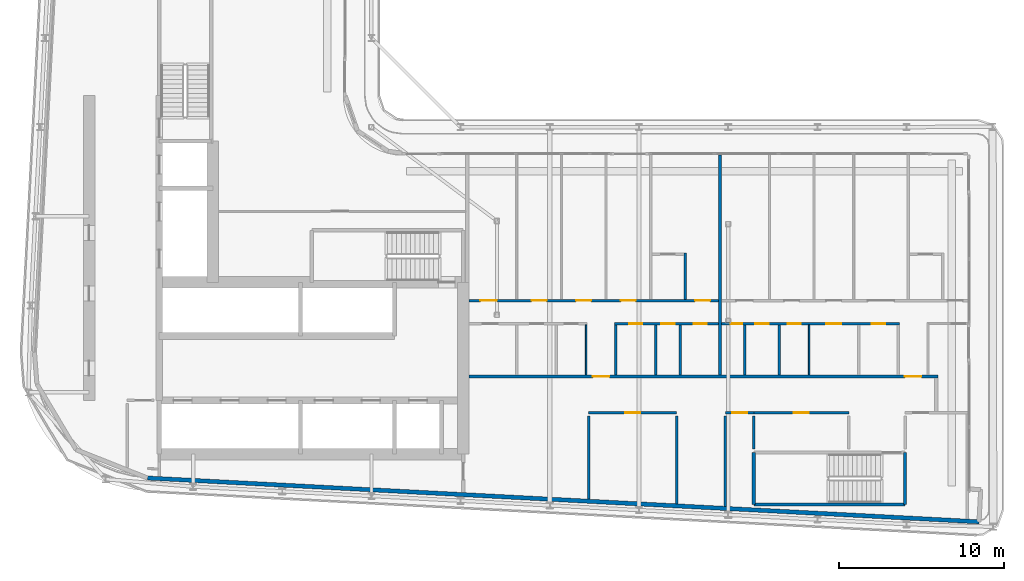
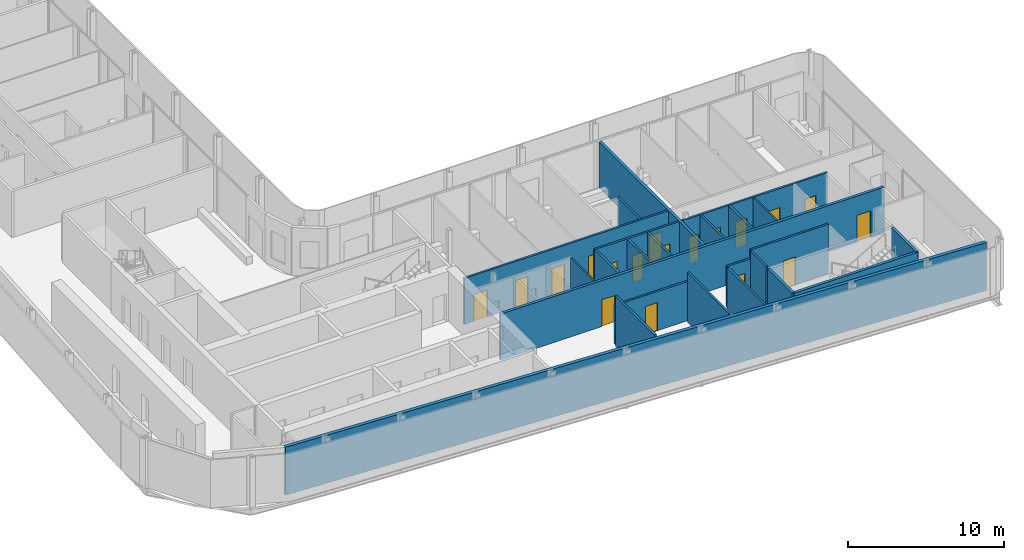
# One storey, part 12 of 23: 24 walls, 18 doors, 18 openings.
"""IFC4 building model written with IfcOpenShell, lengths in metres."""

from ifc_helpers import new_model, si_unit, direction, frame, frame_2d, origin, place, context, subcontext, project, spatial, rectangle, extrude, source, transform, mapped, material, layer, layer_set, type_object, element, fill, save


model = new_model("IFC4")

# Units and contexts
model_context = context("Model", 3, precision=1e-05, world=origin(), true_north=direction((0.0, 1.0)))
body_context = subcontext(model_context, "Body", "Model", "MODEL_VIEW")
ifc_project = project(units=[si_unit("LENGTHUNIT", "METRE"), si_unit("AREAUNIT", "SQUARE_METRE"), si_unit("VOLUMEUNIT", "CUBIC_METRE"), si_unit("PLANEANGLEUNIT", "RADIAN"), si_unit("MASSUNIT", "GRAM", prefix="KILO")], contexts=[model_context])

# Site, building, storey
site_placement = place(None, origin())
site = spatial("IfcSite", under=ifc_project, at=site_placement, CompositionType="ELEMENT")
building_placement = place(site_placement, origin())
building = spatial("IfcBuilding", under=site, at=building_placement, Name="Kheshtan School and Residences Tower", CompositionType="ELEMENT")
storey_placement = place(building_placement, frame((0.0, 0.0, 239.60009765625)))
storey = spatial("IfcBuildingStorey", under=building, at=storey_placement, Name="L56", CompositionType="ELEMENT", Elevation=239.60009765625)

# Wall, openings, doors
ifc_material_1 = material(Name="Gypsum board on steel studs with fire boards", Category="steel")
ifc_layer_1 = layer(ifc_material_1, 0.199951171875)
ifc_layer_set_1 = layer_set([ifc_layer_1], Name="Corridor wall 200")
wall_type_1 = type_object("IfcWallType", Name="Corridor wall 200", PredefinedType="PARTITIONING", material=ifc_layer_set_1)
wall_1_placement = place(storey_placement, frame((53.4990234375, 30.5, 0.0), z_axis=(0.0, 0.0, 1.0), x_axis=(1.0, 0.0, 0.0)))
wall_1 = element("IfcWall", 1, at=wall_1_placement, inside=storey, type_object=wall_type_1, Name="Partition L56-036", PredefinedType="PARTITIONING", context=body_context, shape_type="SweptSolid", body=[
    extrude(rectangle(XDim=28.40087890625, YDim=0.199951171875, at=frame_2d((14.200439453125, 0.0))), origin(), (0.0, 0.0, 1.0), 3.599853515625),
])
opening_1_placement = place(wall_1_placement, frame((7.5009765625, 0.0, 0.0)))
opening_1 = element("IfcOpeningElement", 2, at=opening_1_placement, cuts=wall_1, Name="Opening D56-007", PredefinedType="OPENING", context=body_context, shape_type="SweptSolid", body=[
    extrude(rectangle(XDim=1.0, YDim=2.10009765625, at=frame_2d((0.5, 1.050048828125))), frame((0.0, 0.10986328125, 0.0), z_axis=(0.0, -1.0, 0.0), x_axis=(1.0, 0.0, 0.0)), (0.0, 0.0, 1.0), 0.219970703125),
])
opening_2_placement = place(wall_1_placement, frame((26.40087890625, 0.0, 0.0)))
opening_2 = element("IfcOpeningElement", 3, at=opening_2_placement, cuts=wall_1, Name="Opening D56-020", PredefinedType="OPENING", context=body_context, shape_type="SweptSolid", body=[
    extrude(rectangle(XDim=1.0, YDim=2.10009765625, at=frame_2d((0.5, 1.050048828125))), frame((0.0, 0.10986328125, 0.0), z_axis=(0.0, -1.0, 0.0), x_axis=(1.0, 0.0, 0.0)), (0.0, 0.0, 1.0), 0.219970703125),
])
ifc_material_2 = material(Name="Steel-framed fire-resisting door leaf", Category="steel")
door_type_1 = type_object("IfcDoorType", Name="Fire door FD30S 1000 x 2100", OperationType="SINGLE_SWING_LEFT", PredefinedType="DOOR", material=ifc_material_2)
shared_shape_1 = source(origin(), body_context, "Body", "SweptSolid", [
    extrude(rectangle(XDim=1.0, YDim=2.10009765625, at=frame_2d((0.5, 1.050048828125))), frame((0.0, 0.02490234375, 0.0), z_axis=(0.0, -1.0, 0.0), x_axis=(1.0, 0.0, 0.0)), (0.0, 0.0, 1.0), 0.050048828125),
])
door_1_placement = place(opening_1_placement, origin())
door_1 = element("IfcDoor", 4, at=door_1_placement, inside=storey, type_object=door_type_1, Name="Door D56-007", OperationType="SINGLE_SWING_LEFT", OverallHeight=2.10009765625, OverallWidth=1.0, PredefinedType="DOOR", context=body_context, shape_type="MappedRepresentation", body=[
    mapped(shared_shape_1, transform((0.0, 0.0, 0.0), x_axis=(1.0, 0.0, 0.0), y_axis=(0.0, 1.0, 0.0), z_axis=(0.0, 0.0, 1.0), scale=1.0)),
])
fill(opening_1, door_1)
door_2_placement = place(opening_2_placement, origin())
door_2 = element("IfcDoor", 5, at=door_2_placement, inside=storey, type_object=door_type_1, Name="Door D56-020", OperationType="SINGLE_SWING_RIGHT", OverallHeight=2.10009765625, OverallWidth=1.0, PredefinedType="DOOR", context=body_context, shape_type="MappedRepresentation", body=[
    mapped(shared_shape_1, transform((0.0, 0.0, 0.0), x_axis=(1.0, 0.0, 0.0), y_axis=(0.0, 1.0, 0.0), z_axis=(0.0, 0.0, 1.0), scale=1.0)),
])
fill(opening_2, door_2)

# Walls
ifc_material_3 = material(Name="Concrete C40/50 with ceramic cladding and mineral wool insulation", Category="concrete")
ifc_layer_2 = layer(ifc_material_3, 0.25)
ifc_layer_set_2 = layer_set([ifc_layer_2], Name="External wall 250 ceramic clad")
wall_type_2 = type_object("IfcWallType", Name="External wall 250 ceramic clad", PredefinedType="SOLIDWALL", material=ifc_layer_set_2)
wall_2_placement = place(storey_placement, frame((84.385986328125, 21.702880859375, 0.0), z_axis=(0.0, 0.0, 1.0), x_axis=(-0.998617508267, 0.05256493302, 0.0)))
element("IfcWall", 6, at=wall_2_placement, inside=storey, type_object=wall_type_2, Name="External wall L56 16", PredefinedType="SOLIDWALL", context=body_context, shape_type="SweptSolid", body=[
    extrude(rectangle(XDim=50.41650390625, YDim=0.25, at=frame_2d((25.208251953125, 0.0))), origin(), (0.0, 0.0, 1.0), 3.75),
])
ifc_material_4 = material(Name="Gypsum board on steel studs", Category="steel")
ifc_layer_3 = layer(ifc_material_4, 0.10009765625)
ifc_layer_set_3 = layer_set([ifc_layer_3], Name="Gypsum partition 100")
wall_type_3 = type_object("IfcWallType", Name="Gypsum partition 100", PredefinedType="PARTITIONING", material=ifc_layer_set_3)
for number, where, z_axis, x_axis, name in (
    (7, (60.60009765625, 30.60009765625, 0.0), (0.0, 0.0, 1.0), (0.0, 1.0, 0.0), "Partition L56-043"),
    (8, (74.10009765625, 30.60009765625, 0.0), (0.0, 0.0, 1.0), (0.0, 1.0, 0.0), "Partition L56-058"),
):
    element("IfcWall", number, at=place(storey_placement, frame(where, z_axis=z_axis, x_axis=x_axis)), inside=storey, type_object=wall_type_3, Name=name, PredefinedType="PARTITIONING", context=body_context, shape_type="SweptSolid", body=[
        extrude(rectangle(XDim=3.02490234375, YDim=0.10009765625, at=frame_2d((1.512451171875, 0.0))), origin(), (0.0, 0.0, 1.0), 3.599853515625),
    ])

# Wall, opening, door
ifc_material_5 = material(Name="Fire-board shaft wall system")
ifc_layer_4 = layer(ifc_material_5, 0.14990234375)
ifc_layer_set_4 = layer_set([ifc_layer_4], Name="Service room wall 150")
wall_type_4 = type_object("IfcWallType", Name="Service room wall 150", PredefinedType="PARTITIONING", material=ifc_layer_set_4)
wall_3_placement = place(storey_placement, frame((60.75, 28.300048828125, 0.0), z_axis=(0.0, 0.0, 1.0), x_axis=(1.0, 0.0, 0.0)))
wall_3 = element("IfcWall", 9, at=wall_3_placement, inside=storey, type_object=wall_type_4, Name="Service room wall", PredefinedType="PARTITIONING", context=body_context, shape_type="SweptSolid", body=[
    extrude(rectangle(XDim=5.323974609375, YDim=0.14990234375, at=frame_2d((2.662109375, 0.0))), origin(), (0.0, 0.0, 1.0), 3.072021484375),
])
opening_3_placement = place(wall_3_placement, frame((2.2119140625, 0.0, 0.0)))
opening_3 = element("IfcOpeningElement", 10, at=opening_3_placement, cuts=wall_3, Name="Opening SR90", PredefinedType="OPENING", context=body_context, shape_type="SweptSolid", body=[
    extrude(rectangle(XDim=0.89990234375, YDim=2.199951171875, at=frame_2d((0.449951171875, 1.10009765625))), frame((0.0, 0.0849609375, 0.0), z_axis=(0.0, -1.0, 0.0), x_axis=(1.0, 0.0, 0.0)), (0.0, 0.0, 1.0), 0.169921875),
])
ifc_material_6 = material(Name="Steel door leaf, galvanised", Category="steel")
door_type_2 = type_object("IfcDoorType", Name="Service room door 900 steel 90 min", OperationType="SINGLE_SWING_LEFT", PredefinedType="DOOR", material=ifc_material_6)
shared_shape_2 = source(origin(), body_context, "Body", "SweptSolid", [
    extrude(rectangle(XDim=0.89990234375, YDim=2.199951171875, at=frame_2d((0.449951171875, 1.10009765625))), frame((0.0, 0.02490234375, 0.0), z_axis=(0.0, -1.0, 0.0), x_axis=(1.0, 0.0, 0.0)), (0.0, 0.0, 1.0), 0.050048828125),
])
door_3_placement = place(opening_3_placement, origin())
door_3 = element("IfcDoor", 11, at=door_3_placement, inside=storey, type_object=door_type_2, Name="Service room door", OperationType="SINGLE_SWING_LEFT", OverallHeight=2.199951171875, OverallWidth=0.89990234375, PredefinedType="DOOR", context=body_context, shape_type="MappedRepresentation", body=[
    mapped(shared_shape_2, transform((0.0, 0.0, 0.0), x_axis=(1.0, 0.0, 0.0), y_axis=(0.0, 1.0, 0.0), z_axis=(0.0, 0.0, 1.0), scale=1.0)),
])
fill(opening_3, door_3)

# Walls
wall_4_placement = place(storey_placement, frame((60.75, 23.074951171875, 0.0), z_axis=(0.0, 0.0, 1.0), x_axis=(0.0, 1.0, 0.0)))
element("IfcWall", 12, at=wall_4_placement, inside=storey, type_object=wall_type_4, Name="Service room wall", PredefinedType="PARTITIONING", context=body_context, shape_type="SweptSolid", body=[
    extrude(rectangle(XDim=5.030029296875, YDim=0.14990234375, at=frame_2d((2.51513671875, 0.0))), origin(), (0.0, 0.0, 1.0), 3.89990234375),
])
wall_5_placement = place(storey_placement, frame((66.073974609375, 22.794921875, 0.0), z_axis=(0.0, 0.0, 1.0), x_axis=(0.0, 1.0, 0.0)))
element("IfcWall", 13, at=wall_5_placement, inside=storey, type_object=wall_type_4, Name="Service room wall", PredefinedType="PARTITIONING", context=body_context, shape_type="SweptSolid", body=[
    extrude(rectangle(XDim=5.31005859375, YDim=0.14990234375, at=frame_2d((2.655029296875, 0.0))), origin(), (0.0, 0.0, 1.0), 3.89990234375),
])

# Wall, opening, door
wall_6_placement = place(storey_placement, frame((69.029052734375, 28.300048828125, 0.0), z_axis=(0.0, 0.0, 1.0), x_axis=(1.0, 0.0, 0.0)))
wall_6 = element("IfcWall", 14, at=wall_6_placement, inside=storey, type_object=wall_type_4, Name="Service room wall", PredefinedType="PARTITIONING", context=body_context, shape_type="SweptSolid", body=[
    extrude(rectangle(XDim=1.720947265625, YDim=0.14990234375, at=frame_2d((0.8603515625, 0.0))), origin(), (0.0, 0.0, 1.0), 3.216796875),
])
opening_4_placement = place(wall_6_placement, frame((0.410888671875, 0.0, 0.0)))
opening_4 = element("IfcOpeningElement", 15, at=opening_4_placement, cuts=wall_6, Name="Opening SR90", PredefinedType="OPENING", context=body_context, shape_type="SweptSolid", body=[
    extrude(rectangle(XDim=0.89990234375, YDim=2.199951171875, at=frame_2d((0.449951171875, 1.10009765625))), frame((0.0, 0.0849609375, 0.0), z_axis=(0.0, -1.0, 0.0), x_axis=(1.0, 0.0, 0.0)), (0.0, 0.0, 1.0), 0.169921875),
])
door_4_placement = place(opening_4_placement, origin())
door_4 = element("IfcDoor", 16, at=door_4_placement, inside=storey, type_object=door_type_2, Name="Service room door", OperationType="SINGLE_SWING_LEFT", OverallHeight=2.199951171875, OverallWidth=0.89990234375, PredefinedType="DOOR", context=body_context, shape_type="MappedRepresentation", body=[
    mapped(shared_shape_2, transform((0.0, 0.0, 0.0), x_axis=(1.0, 0.0, 0.0), y_axis=(0.0, 1.0, 0.0), z_axis=(0.0, 0.0, 1.0), scale=1.0)),
])
fill(opening_4, door_4)

# Walls
wall_7_placement = place(storey_placement, frame((69.029052734375, 22.638916015625, 0.0), z_axis=(0.0, 0.0, 1.0), x_axis=(0.0, 1.0, 0.0)))
element("IfcWall", 17, at=wall_7_placement, inside=storey, type_object=wall_type_4, Name="Service room wall", PredefinedType="PARTITIONING", context=body_context, shape_type="SweptSolid", body=[
    extrude(rectangle(XDim=5.466064453125, YDim=0.14990234375, at=frame_2d((2.73291015625, 0.0))), origin(), (0.0, 0.0, 1.0), 3.216796875),
])
wall_8_placement = place(storey_placement, frame((70.75, 26.1201171875, 0.0), z_axis=(0.0, 0.0, 1.0), x_axis=(0.0, 1.0, 0.0)))
element("IfcWall", 18, at=wall_8_placement, inside=storey, type_object=wall_type_4, Name="Service room wall", PredefinedType="PARTITIONING", context=body_context, shape_type="SweptSolid", body=[
    extrude(rectangle(XDim=1.98486328125, YDim=0.14990234375, at=frame_2d((0.992431640625, 0.0))), origin(), (0.0, 0.0, 1.0), 3.89990234375),
])

# Wall, opening, door
wall_9_placement = place(storey_placement, frame((70.75, 28.300048828125, 0.0), z_axis=(0.0, 0.0, 1.0), x_axis=(1.0, 0.0, 0.0)))
wall_9 = element("IfcWall", 19, at=wall_9_placement, inside=storey, type_object=wall_type_4, Name="Service room wall", PredefinedType="PARTITIONING", context=body_context, shape_type="SweptSolid", body=[
    extrude(rectangle(XDim=5.760009765625, YDim=0.14990234375, at=frame_2d((2.8798828125, 0.0))), origin(), (0.0, 0.0, 1.0), 3.89990234375),
])
opening_5_placement = place(wall_9_placement, frame((2.429931640625, 0.0, 0.0)))
opening_5 = element("IfcOpeningElement", 20, at=opening_5_placement, cuts=wall_9, Name="Opening SR90", PredefinedType="OPENING", context=body_context, shape_type="SweptSolid", body=[
    extrude(rectangle(XDim=0.89990234375, YDim=2.199951171875, at=frame_2d((0.449951171875, 1.10009765625))), frame((0.0, 0.0849609375, 0.0), z_axis=(0.0, -1.0, 0.0), x_axis=(1.0, 0.0, 0.0)), (0.0, 0.0, 1.0), 0.169921875),
])
door_5_placement = place(opening_5_placement, origin())
door_5 = element("IfcDoor", 21, at=door_5_placement, inside=storey, type_object=door_type_2, Name="Service room door", OperationType="SINGLE_SWING_LEFT", OverallHeight=2.199951171875, OverallWidth=0.89990234375, PredefinedType="DOOR", context=body_context, shape_type="MappedRepresentation", body=[
    mapped(shared_shape_2, transform((0.0, 0.0, 0.0), x_axis=(1.0, 0.0, 0.0), y_axis=(0.0, 1.0, 0.0), z_axis=(0.0, 0.0, 1.0), scale=1.0)),
])
fill(opening_5, door_5)

# Walls
ifc_material_7 = material(Name="Concrete C40/50", Category="concrete")
ifc_layer_5 = layer(ifc_material_7, 0.199951171875)
ifc_layer_set_5 = layer_set([ifc_layer_5], Name="Stair enclosure wall 200 Concrete C40/50")
wall_type_5 = type_object("IfcWallType", Name="Stair enclosure wall 200 Concrete C40/50", PredefinedType="SHEAR", material=ifc_layer_set_5)
wall_10_placement = place(storey_placement, frame((70.75, 22.75, 0.0), z_axis=(0.0, 0.0, 1.0), x_axis=(1.0, 0.0, 0.0)))
element("IfcWall", 22, at=wall_10_placement, inside=storey, type_object=wall_type_5, Name="Stair enclosure wall ST5", PredefinedType="SHEAR", context=body_context, shape_type="SweptSolid", body=[
    extrude(rectangle(XDim=9.159912109375, YDim=0.199951171875, at=frame_2d((4.580078125, 0.0))), origin(), (0.0, 0.0, 1.0), 3.89990234375),
])
for number, where, z_axis, x_axis, name in (
    (23, (70.75, 22.75, 0.0), (0.0, 0.0, 1.0), (0.0, 1.0, 0.0), "Stair enclosure wall ST5"),
    (24, (79.909912109375, 22.75, 0.0), (0.0, 0.0, 1.0), (0.0, 1.0, 0.0), "Stair enclosure wall ST5"),
):
    element("IfcWall", number, at=place(storey_placement, frame(where, z_axis=z_axis, x_axis=x_axis)), inside=storey, type_object=wall_type_5, Name=name, PredefinedType="SHEAR", context=body_context, shape_type="SweptSolid", body=[
        extrude(rectangle(XDim=3.14990234375, YDim=0.199951171875, at=frame_2d((1.574951171875, 0.0))), origin(), (0.0, 0.0, 1.0), 3.89990234375),
    ])
ifc_material_8 = material(Name="Twin gypsum board on steel studs with mineral wool", Category="steel")
ifc_layer_6 = layer(ifc_material_8, 0.199951171875)
ifc_layer_set_6 = layer_set([ifc_layer_6], Name="Unit demising wall 200")
wall_type_6 = type_object("IfcWallType", Name="Unit demising wall 200", PredefinedType="PARTITIONING", material=ifc_layer_set_6)
wall_11_placement = place(storey_placement, frame((68.699951171875, 30.60009765625, 0.0), z_axis=(0.0, 0.0, 1.0), x_axis=(0.0, 1.0, 0.0)))
element("IfcWall", 25, at=wall_11_placement, inside=storey, type_object=wall_type_6, Name="Partition L56-052", PredefinedType="PARTITIONING", context=body_context, shape_type="SweptSolid", body=[
    extrude(rectangle(XDim=13.2998046875, YDim=0.199951171875, at=frame_2d((6.64990234375, 0.0))), origin(), (0.0, 0.0, 1.0), 3.599853515625),
])

# Wall, openings, doors
ifc_material_9 = material(Name="Moisture-resistant gypsum board on steel studs", Category="steel")
ifc_layer_7 = layer(ifc_material_9, 0.14990234375)
ifc_layer_set_7 = layer_set([ifc_layer_7], Name="Wet-room partition 150")
wall_type_7 = type_object("IfcWallType", Name="Wet-room partition 150", PredefinedType="PARTITIONING", material=ifc_layer_set_7)
wall_12_placement = place(storey_placement, frame((53.4990234375, 35.10009765625, 0.0), z_axis=(0.0, 0.0, 1.0), x_axis=(1.0, 0.0, 0.0)))
wall_12 = element("IfcWall", 26, at=wall_12_placement, inside=storey, type_object=wall_type_7, Name="Partition L56-038", PredefinedType="PARTITIONING", context=body_context, shape_type="SweptSolid", body=[
    extrude(rectangle(XDim=15.10107421875, YDim=0.14990234375, at=frame_2d((7.550537109375, 0.0))), origin(), (0.0, 0.0, 1.0), 3.599853515625),
])
opening_6_placement = place(wall_12_placement, frame((3.801025390625, 0.0, 0.0)))
opening_6 = element("IfcOpeningElement", 27, at=opening_6_placement, cuts=wall_12, Name="Opening D56-003", PredefinedType="OPENING", context=body_context, shape_type="SweptSolid", body=[
    extrude(rectangle(XDim=0.89990234375, YDim=2.10009765625, at=frame_2d((0.449951171875, 1.050048828125))), frame((0.0, 0.0849609375, 0.0), z_axis=(0.0, -1.0, 0.0), x_axis=(1.0, 0.0, 0.0)), (0.0, 0.0, 1.0), 0.169921875),
])
opening_7_placement = place(wall_12_placement, frame((9.200927734375, 0.0, 0.0)))
opening_7 = element("IfcOpeningElement", 28, at=opening_7_placement, cuts=wall_12, Name="Opening D56-004", PredefinedType="OPENING", context=body_context, shape_type="SweptSolid", body=[
    extrude(rectangle(XDim=0.89990234375, YDim=2.10009765625, at=frame_2d((0.449951171875, 1.050048828125))), frame((0.0, 0.0849609375, 0.0), z_axis=(0.0, -1.0, 0.0), x_axis=(1.0, 0.0, 0.0)), (0.0, 0.0, 1.0), 0.169921875),
])
opening_8_placement = place(wall_12_placement, frame((0.700927734375, 0.0, 0.0)))
opening_8 = element("IfcOpeningElement", 29, at=opening_8_placement, cuts=wall_12, Name="Opening D56-009", PredefinedType="OPENING", context=body_context, shape_type="SweptSolid", body=[
    extrude(rectangle(XDim=1.0, YDim=2.10009765625, at=frame_2d((0.5, 1.050048828125))), frame((0.0, 0.0849609375, 0.0), z_axis=(0.0, -1.0, 0.0), x_axis=(1.0, 0.0, 0.0)), (0.0, 0.0, 1.0), 0.169921875),
])
opening_9_placement = place(wall_12_placement, frame((6.5009765625, 0.0, 0.0)))
opening_9 = element("IfcOpeningElement", 30, at=opening_9_placement, cuts=wall_12, Name="Opening D56-010", PredefinedType="OPENING", context=body_context, shape_type="SweptSolid", body=[
    extrude(rectangle(XDim=0.89990234375, YDim=2.10009765625, at=frame_2d((0.449951171875, 1.050048828125))), frame((0.0, 0.0849609375, 0.0), z_axis=(0.0, -1.0, 0.0), x_axis=(1.0, 0.0, 0.0)), (0.0, 0.0, 1.0), 0.169921875),
])
opening_10_placement = place(wall_12_placement, frame((13.700927734375, 0.0, 0.0)))
opening_10 = element("IfcOpeningElement", 31, at=opening_10_placement, cuts=wall_12, Name="Opening D56-011", PredefinedType="OPENING", context=body_context, shape_type="SweptSolid", body=[
    extrude(rectangle(XDim=0.89990234375, YDim=2.10009765625, at=frame_2d((0.449951171875, 1.050048828125))), frame((0.0, 0.0849609375, 0.0), z_axis=(0.0, -1.0, 0.0), x_axis=(1.0, 0.0, 0.0)), (0.0, 0.0, 1.0), 0.169921875),
])
ifc_material_10 = material(Name="Veneered timber door leaf", Category="wood")
door_type_3 = type_object("IfcDoorType", Name="Door 1000 x 2100", OperationType="SINGLE_SWING_LEFT", PredefinedType="DOOR", material=ifc_material_10)
shared_shape_3 = source(origin(), body_context, "Body", "SweptSolid", [
    extrude(rectangle(XDim=1.0, YDim=2.10009765625, at=frame_2d((0.5, 1.050048828125))), frame((0.0, 0.02490234375, 0.0), z_axis=(0.0, -1.0, 0.0), x_axis=(1.0, 0.0, 0.0)), (0.0, 0.0, 1.0), 0.050048828125),
])
door_6_placement = place(opening_8_placement, origin())
door_6 = element("IfcDoor", 32, at=door_6_placement, inside=storey, type_object=door_type_3, Name="Door D56-009", OperationType="SINGLE_SWING_LEFT", OverallHeight=2.10009765625, OverallWidth=1.0, PredefinedType="DOOR", context=body_context, shape_type="MappedRepresentation", body=[
    mapped(shared_shape_3, transform((0.0, 0.0, 0.0), x_axis=(1.0, 0.0, 0.0), y_axis=(0.0, 1.0, 0.0), z_axis=(0.0, 0.0, 1.0), scale=1.0)),
])
fill(opening_8, door_6)
door_type_4 = type_object("IfcDoorType", Name="Door 900 x 2100", OperationType="SINGLE_SWING_LEFT", PredefinedType="DOOR", material=ifc_material_10)
shared_shape_4 = source(origin(), body_context, "Body", "SweptSolid", [
    extrude(rectangle(XDim=0.89990234375, YDim=2.10009765625, at=frame_2d((0.449951171875, 1.050048828125))), frame((0.0, 0.02490234375, 0.0), z_axis=(0.0, -1.0, 0.0), x_axis=(1.0, 0.0, 0.0)), (0.0, 0.0, 1.0), 0.050048828125),
])
door_7_placement = place(opening_6_placement, origin())
door_7 = element("IfcDoor", 33, at=door_7_placement, inside=storey, type_object=door_type_4, Name="Door D56-003", OperationType="SINGLE_SWING_RIGHT", OverallHeight=2.10009765625, OverallWidth=0.89990234375, PredefinedType="DOOR", context=body_context, shape_type="MappedRepresentation", body=[
    mapped(shared_shape_4, transform((0.0, 0.0, 0.0), x_axis=(1.0, 0.0, 0.0), y_axis=(0.0, 1.0, 0.0), z_axis=(0.0, 0.0, 1.0), scale=1.0)),
])
fill(opening_6, door_7)
door_8_placement = place(opening_7_placement, origin())
door_8 = element("IfcDoor", 34, at=door_8_placement, inside=storey, type_object=door_type_4, Name="Door D56-004", OperationType="SINGLE_SWING_RIGHT", OverallHeight=2.10009765625, OverallWidth=0.89990234375, PredefinedType="DOOR", context=body_context, shape_type="MappedRepresentation", body=[
    mapped(shared_shape_4, transform((0.0, 0.0, 0.0), x_axis=(1.0, 0.0, 0.0), y_axis=(0.0, 1.0, 0.0), z_axis=(0.0, 0.0, 1.0), scale=1.0)),
])
fill(opening_7, door_8)
door_9_placement = place(opening_9_placement, origin())
door_9 = element("IfcDoor", 35, at=door_9_placement, inside=storey, type_object=door_type_4, Name="Door D56-010", OperationType="SINGLE_SWING_LEFT", OverallHeight=2.10009765625, OverallWidth=0.89990234375, PredefinedType="DOOR", context=body_context, shape_type="MappedRepresentation", body=[
    mapped(shared_shape_4, transform((0.0, 0.0, 0.0), x_axis=(1.0, 0.0, 0.0), y_axis=(0.0, 1.0, 0.0), z_axis=(0.0, 0.0, 1.0), scale=1.0)),
])
fill(opening_9, door_9)
door_10_placement = place(opening_10_placement, origin())
door_10 = element("IfcDoor", 36, at=door_10_placement, inside=storey, type_object=door_type_4, Name="Door D56-011", OperationType="SINGLE_SWING_LEFT", OverallHeight=2.10009765625, OverallWidth=0.89990234375, PredefinedType="DOOR", context=body_context, shape_type="MappedRepresentation", body=[
    mapped(shared_shape_4, transform((0.0, 0.0, 0.0), x_axis=(1.0, 0.0, 0.0), y_axis=(0.0, 1.0, 0.0), z_axis=(0.0, 0.0, 1.0), scale=1.0)),
])
fill(opening_10, door_10)

wall_13_placement = place(storey_placement, frame((62.324951171875, 33.699951171875, 0.0), z_axis=(0.0, 0.0, 1.0), x_axis=(1.0, 0.0, 0.0)))
wall_13 = element("IfcWall", 37, at=wall_13_placement, inside=storey, type_object=wall_type_7, Name="Partition L56-045", PredefinedType="PARTITIONING", context=body_context, shape_type="SweptSolid", body=[
    extrude(rectangle(XDim=6.275146484375, YDim=0.14990234375, at=frame_2d((3.1376953125, 0.0))), origin(), (0.0, 0.0, 1.0), 3.599853515625),
])
opening_11_placement = place(wall_13_placement, frame((0.875, 0.0, 0.0)))
opening_11 = element("IfcOpeningElement", 38, at=opening_11_placement, cuts=wall_13, Name="Opening D56-002", PredefinedType="OPENING", context=body_context, shape_type="SweptSolid", body=[
    extrude(rectangle(XDim=0.800048828125, YDim=2.10009765625, at=frame_2d((0.39990234375, 1.050048828125))), frame((0.0, 0.0849609375, 0.0), z_axis=(0.0, -1.0, 0.0), x_axis=(1.0, 0.0, 0.0)), (0.0, 0.0, 1.0), 0.169921875),
])
opening_12_placement = place(wall_13_placement, frame((4.77490234375, 0.0, 0.0)))
opening_12 = element("IfcOpeningElement", 39, at=opening_12_placement, cuts=wall_13, Name="Opening D56-005", PredefinedType="OPENING", context=body_context, shape_type="SweptSolid", body=[
    extrude(rectangle(XDim=0.800048828125, YDim=2.10009765625, at=frame_2d((0.39990234375, 1.050048828125))), frame((0.0, 0.0849609375, 0.0), z_axis=(0.0, -1.0, 0.0), x_axis=(1.0, 0.0, 0.0)), (0.0, 0.0, 1.0), 0.169921875),
])
opening_13_placement = place(wall_13_placement, frame((2.824951171875, 0.0, 0.0)))
opening_13 = element("IfcOpeningElement", 40, at=opening_13_placement, cuts=wall_13, Name="Opening D56-013", PredefinedType="OPENING", context=body_context, shape_type="SweptSolid", body=[
    extrude(rectangle(XDim=0.800048828125, YDim=2.10009765625, at=frame_2d((0.39990234375, 1.050048828125))), frame((0.0, 0.0849609375, 0.0), z_axis=(0.0, -1.0, 0.0), x_axis=(1.0, 0.0, 0.0)), (0.0, 0.0, 1.0), 0.169921875),
])
door_type_5 = type_object("IfcDoorType", Name="Door 800 x 2100", OperationType="SINGLE_SWING_LEFT", PredefinedType="DOOR", material=ifc_material_10)
shared_shape_5 = source(origin(), body_context, "Body", "SweptSolid", [
    extrude(rectangle(XDim=0.800048828125, YDim=2.10009765625, at=frame_2d((0.39990234375, 1.050048828125))), frame((0.0, 0.02490234375, 0.0), z_axis=(0.0, -1.0, 0.0), x_axis=(1.0, 0.0, 0.0)), (0.0, 0.0, 1.0), 0.050048828125),
])
door_11_placement = place(opening_11_placement, origin())
door_11 = element("IfcDoor", 41, at=door_11_placement, inside=storey, type_object=door_type_5, Name="Door D56-002", OperationType="SINGLE_SWING_RIGHT", OverallHeight=2.10009765625, OverallWidth=0.800048828125, PredefinedType="DOOR", context=body_context, shape_type="MappedRepresentation", body=[
    mapped(shared_shape_5, transform((0.0, 0.0, 0.0), x_axis=(1.0, 0.0, 0.0), y_axis=(0.0, 1.0, 0.0), z_axis=(0.0, 0.0, 1.0), scale=1.0)),
])
fill(opening_11, door_11)
door_12_placement = place(opening_12_placement, origin())
door_12 = element("IfcDoor", 42, at=door_12_placement, inside=storey, type_object=door_type_5, Name="Door D56-005", OperationType="SINGLE_SWING_LEFT", OverallHeight=2.10009765625, OverallWidth=0.800048828125, PredefinedType="DOOR", context=body_context, shape_type="MappedRepresentation", body=[
    mapped(shared_shape_5, transform((0.0, 0.0, 0.0), x_axis=(1.0, 0.0, 0.0), y_axis=(0.0, 1.0, 0.0), z_axis=(0.0, 0.0, 1.0), scale=1.0)),
])
fill(opening_12, door_12)
door_13_placement = place(opening_13_placement, origin())
door_13 = element("IfcDoor", 43, at=door_13_placement, inside=storey, type_object=door_type_5, Name="Door D56-013", OperationType="SINGLE_SWING_LEFT", OverallHeight=2.10009765625, OverallWidth=0.800048828125, PredefinedType="DOOR", context=body_context, shape_type="MappedRepresentation", body=[
    mapped(shared_shape_5, transform((0.0, 0.0, 0.0), x_axis=(1.0, 0.0, 0.0), y_axis=(0.0, 1.0, 0.0), z_axis=(0.0, 0.0, 1.0), scale=1.0)),
])
fill(opening_13, door_13)

# Walls
for number, where, z_axis, x_axis, name in (
    (44, (62.39990234375, 30.60009765625, 0.0), (0.0, 0.0, 1.0), (0.0, 1.0, 0.0), "Partition L56-046"),
    (45, (64.800048828125, 30.60009765625, 0.0), (0.0, 0.0, 1.0), (0.0, 1.0, 0.0), "Partition L56-049"),
    (46, (66.300048828125, 30.60009765625, 0.0), (0.0, 0.0, 1.0), (0.0, 1.0, 0.0), "Partition L56-050"),
):
    element("IfcWall", number, at=place(storey_placement, frame(where, z_axis=z_axis, x_axis=x_axis)), inside=storey, type_object=wall_type_7, Name=name, PredefinedType="PARTITIONING", context=body_context, shape_type="SweptSolid", body=[
        extrude(rectangle(XDim=3.02490234375, YDim=0.14990234375, at=frame_2d((1.512451171875, 0.0))), origin(), (0.0, 0.0, 1.0), 3.599853515625),
    ])
wall_14_placement = place(storey_placement, frame((66.60009765625, 35.175048828125, 0.0), z_axis=(0.0, 0.0, 1.0), x_axis=(0.0, 1.0, 0.0)))
element("IfcWall", 47, at=wall_14_placement, inside=storey, type_object=wall_type_7, Name="Partition L56-051", PredefinedType="PARTITIONING", context=body_context, shape_type="SweptSolid", body=[
    extrude(rectangle(XDim=2.800048828125, YDim=0.14990234375, at=frame_2d((1.39990234375, 0.0))), origin(), (0.0, 0.0, 1.0), 3.599853515625),
])

# Wall, openings, doors
wall_15_placement = place(storey_placement, frame((68.800048828125, 33.699951171875, 0.0), z_axis=(0.0, 0.0, 1.0), x_axis=(1.0, 0.0, 0.0)))
wall_15 = element("IfcWall", 48, at=wall_15_placement, inside=storey, type_object=wall_type_7, Name="Partition L56-053", PredefinedType="PARTITIONING", context=body_context, shape_type="SweptSolid", body=[
    extrude(rectangle(XDim=10.77490234375, YDim=0.14990234375, at=frame_2d((5.387451171875, 0.0))), origin(), (0.0, 0.0, 1.0), 3.599853515625),
])
opening_14_placement = place(wall_15_placement, frame((2.050048828125, 0.0, 0.0)))
opening_14 = element("IfcOpeningElement", 49, at=opening_14_placement, cuts=wall_15, Name="Opening D56-014", PredefinedType="OPENING", context=body_context, shape_type="SweptSolid", body=[
    extrude(rectangle(XDim=0.800048828125, YDim=2.10009765625, at=frame_2d((0.39990234375, 1.050048828125))), frame((0.0, 0.0849609375, 0.0), z_axis=(0.0, -1.0, 0.0), x_axis=(1.0, 0.0, 0.0)), (0.0, 0.0, 1.0), 0.169921875),
])
opening_15_placement = place(wall_15_placement, frame((9.10009765625, 0.0, 0.0)))
opening_15 = element("IfcOpeningElement", 50, at=opening_15_placement, cuts=wall_15, Name="Opening D56-015", PredefinedType="OPENING", context=body_context, shape_type="SweptSolid", body=[
    extrude(rectangle(XDim=0.800048828125, YDim=2.10009765625, at=frame_2d((0.39990234375, 1.050048828125))), frame((0.0, 0.0849609375, 0.0), z_axis=(0.0, -1.0, 0.0), x_axis=(1.0, 0.0, 0.0)), (0.0, 0.0, 1.0), 0.169921875),
])
opening_16_placement = place(wall_15_placement, frame((6.35009765625, 0.0, 0.0)))
opening_16 = element("IfcOpeningElement", 51, at=opening_16_placement, cuts=wall_15, Name="Opening D56-021", PredefinedType="OPENING", context=body_context, shape_type="SweptSolid", body=[
    extrude(rectangle(XDim=0.89990234375, YDim=2.10009765625, at=frame_2d((0.449951171875, 1.050048828125))), frame((0.0, 0.0849609375, 0.0), z_axis=(0.0, -1.0, 0.0), x_axis=(1.0, 0.0, 0.0)), (0.0, 0.0, 1.0), 0.169921875),
])
opening_17_placement = place(wall_15_placement, frame((4.0, 0.0, 0.0)))
opening_17 = element("IfcOpeningElement", 52, at=opening_17_placement, cuts=wall_15, Name="Opening D56-025", PredefinedType="OPENING", context=body_context, shape_type="SweptSolid", body=[
    extrude(rectangle(XDim=0.800048828125, YDim=2.10009765625, at=frame_2d((0.39990234375, 1.050048828125))), frame((0.0, 0.0849609375, 0.0), z_axis=(0.0, -1.0, 0.0), x_axis=(1.0, 0.0, 0.0)), (0.0, 0.0, 1.0), 0.169921875),
])
opening_18_placement = place(wall_15_placement, frame((0.56005859375, 0.0, 0.0)))
opening_18 = element("IfcOpeningElement", 53, at=opening_18_placement, cuts=wall_15, Name="Opening D56-026", PredefinedType="OPENING", context=body_context, shape_type="SweptSolid", body=[
    extrude(rectangle(XDim=0.699951171875, YDim=2.10009765625, at=frame_2d((0.35009765625, 1.050048828125))), frame((0.0, 0.0849609375, 0.0), z_axis=(0.0, -1.0, 0.0), x_axis=(1.0, 0.0, 0.0)), (0.0, 0.0, 1.0), 0.169921875),
])
door_14_placement = place(opening_14_placement, origin())
door_14 = element("IfcDoor", 54, at=door_14_placement, inside=storey, type_object=door_type_5, Name="Door D56-014", OperationType="SINGLE_SWING_LEFT", OverallHeight=2.10009765625, OverallWidth=0.800048828125, PredefinedType="DOOR", context=body_context, shape_type="MappedRepresentation", body=[
    mapped(shared_shape_5, transform((0.0, 0.0, 0.0), x_axis=(1.0, 0.0, 0.0), y_axis=(0.0, 1.0, 0.0), z_axis=(0.0, 0.0, 1.0), scale=1.0)),
])
fill(opening_14, door_14)
door_15_placement = place(opening_15_placement, origin())
door_15 = element("IfcDoor", 55, at=door_15_placement, inside=storey, type_object=door_type_5, Name="Door D56-015", OperationType="SINGLE_SWING_RIGHT", OverallHeight=2.10009765625, OverallWidth=0.800048828125, PredefinedType="DOOR", context=body_context, shape_type="MappedRepresentation", body=[
    mapped(shared_shape_5, transform((0.0, 0.0, 0.0), x_axis=(1.0, 0.0, 0.0), y_axis=(0.0, 1.0, 0.0), z_axis=(0.0, 0.0, 1.0), scale=1.0)),
])
fill(opening_15, door_15)
door_16_placement = place(opening_17_placement, origin())
door_16 = element("IfcDoor", 56, at=door_16_placement, inside=storey, type_object=door_type_5, Name="Door D56-025", OperationType="SINGLE_SWING_LEFT", OverallHeight=2.10009765625, OverallWidth=0.800048828125, PredefinedType="DOOR", context=body_context, shape_type="MappedRepresentation", body=[
    mapped(shared_shape_5, transform((0.0, 0.0, 0.0), x_axis=(1.0, 0.0, 0.0), y_axis=(0.0, 1.0, 0.0), z_axis=(0.0, 0.0, 1.0), scale=1.0)),
])
fill(opening_17, door_16)
door_17_placement = place(opening_16_placement, origin())
door_17 = element("IfcDoor", 57, at=door_17_placement, inside=storey, type_object=door_type_4, Name="Door D56-021", OperationType="SINGLE_SWING_LEFT", OverallHeight=2.10009765625, OverallWidth=0.89990234375, PredefinedType="DOOR", context=body_context, shape_type="MappedRepresentation", body=[
    mapped(shared_shape_4, transform((0.0, 0.0, 0.0), x_axis=(1.0, 0.0, 0.0), y_axis=(0.0, 1.0, 0.0), z_axis=(0.0, 0.0, 1.0), scale=1.0)),
])
fill(opening_16, door_17)
door_type_6 = type_object("IfcDoorType", Name="Door 700 x 2100", OperationType="SINGLE_SWING_LEFT", PredefinedType="DOOR", material=ifc_material_10)
shared_shape_6 = source(origin(), body_context, "Body", "SweptSolid", [
    extrude(rectangle(XDim=0.699951171875, YDim=2.10009765625, at=frame_2d((0.35009765625, 1.050048828125))), frame((0.0, 0.02490234375, 0.0), z_axis=(0.0, -1.0, 0.0), x_axis=(1.0, 0.0, 0.0)), (0.0, 0.0, 1.0), 0.050048828125),
])
door_18_placement = place(opening_18_placement, origin())
door_18 = element("IfcDoor", 58, at=door_18_placement, inside=storey, type_object=door_type_6, Name="Door D56-026", OperationType="SINGLE_SWING_LEFT", OverallHeight=2.10009765625, OverallWidth=0.699951171875, PredefinedType="DOOR", context=body_context, shape_type="MappedRepresentation", body=[
    mapped(shared_shape_6, transform((0.0, 0.0, 0.0), x_axis=(1.0, 0.0, 0.0), y_axis=(0.0, 1.0, 0.0), z_axis=(0.0, 0.0, 1.0), scale=1.0)),
])
fill(opening_18, door_18)

# Walls
for number, where, z_axis, x_axis, name in (
    (59, (70.199951171875, 30.60009765625, 0.0), (0.0, 0.0, 1.0), (0.0, 1.0, 0.0), "Partition L56-055"),
    (60, (72.300048828125, 30.60009765625, 0.0), (0.0, 0.0, 1.0), (0.0, 1.0, 0.0), "Partition L56-057"),
):
    element("IfcWall", number, at=place(storey_placement, frame(where, z_axis=z_axis, x_axis=x_axis)), inside=storey, type_object=wall_type_7, Name=name, PredefinedType="PARTITIONING", context=body_context, shape_type="SweptSolid", body=[
        extrude(rectangle(XDim=3.02490234375, YDim=0.14990234375, at=frame_2d((1.512451171875, 0.0))), origin(), (0.0, 0.0, 1.0), 3.599853515625),
    ])

save(model, "model.ifc")
